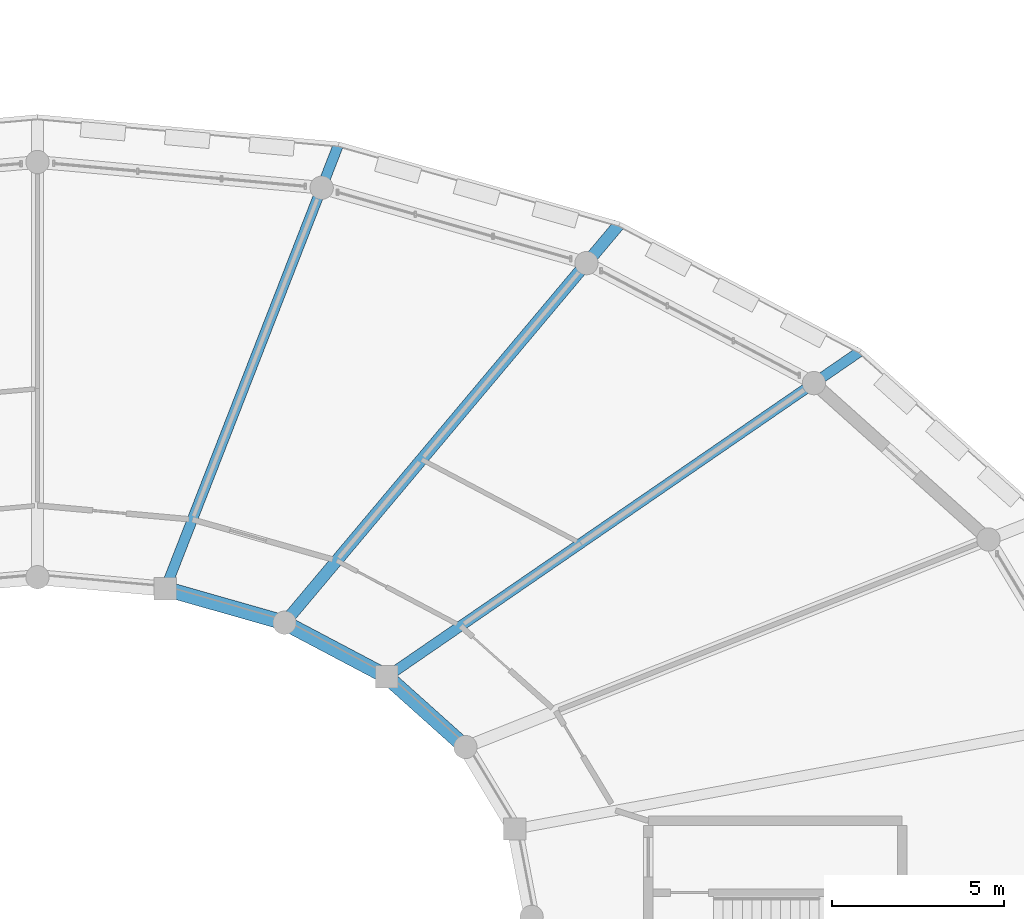
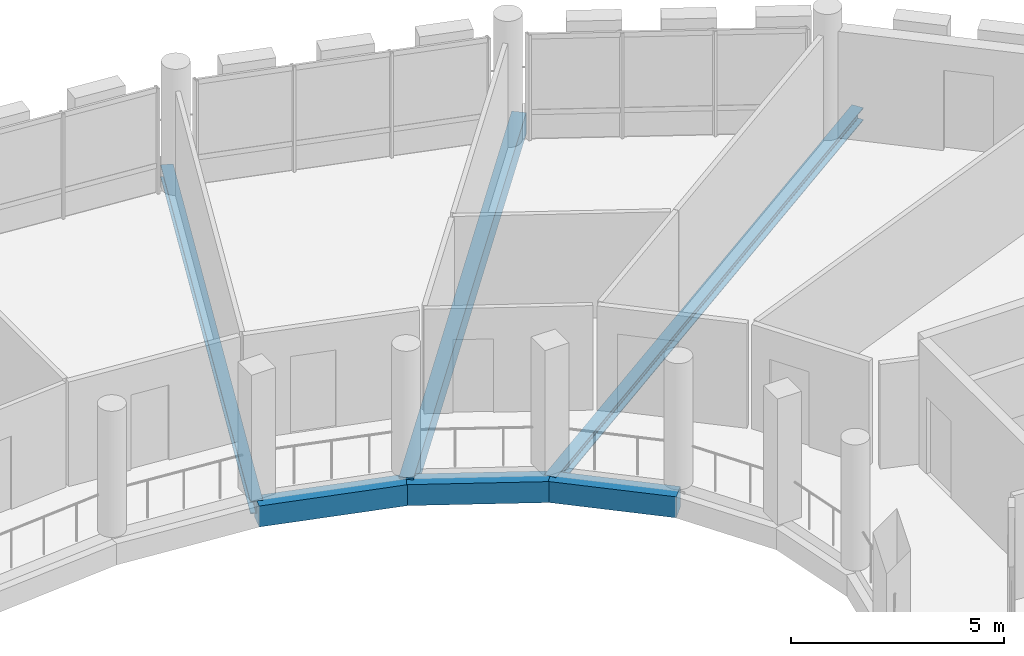
# One storey, part 71 of 128: 6 beams.
"""IFC4 building model written with IfcOpenShell, lengths in metres."""

import ifcopenshell
import ifcopenshell.guid

model = None  # the IFC model being written
_history = None  # IfcOwnerHistory: only IFC2X3 demands one
_inside = {}  # id of a spatial element -> (the spatial element, [elements in it])
_under = {}  # id of a project, library or spatial element -> (it, [spatial elements below it])
_declared = {}  # id of a project -> (the project, [libraries it declares])
_typed = {}  # id of a type object -> (the type object, [elements of that type])
_made_of = {}  # id of a material, layer set ... -> (it, [elements and type objects made of it])


def new_model(schema):
    """Start an empty IFC model of exactly this schema.

    Asked for "IFC4X3", IfcOpenShell would pick the latest addendum, in which some entities
    have other attributes; the version numbers below select the first issue.
    IFC2X3 requires an IfcOwnerHistory on every rooted entity: one is made here for all.
    """
    global model, _history
    if schema == "IFC4X3":
        model = ifcopenshell.file(schema_version=(4, 3, 0, 0))
    else:
        model = ifcopenshell.file(schema=schema)
    _inside.clear()
    _under.clear()
    _declared.clear()
    _typed.clear()
    _made_of.clear()
    _history = None
    if model.schema == "IFC2X3":
        org = make("IfcOrganization", Name="unknown")
        user = make(
            "IfcPersonAndOrganization",
            ThePerson=make("IfcPerson", FamilyName="unknown"),
            TheOrganization=org,
        )
        app = make(
            "IfcApplication",
            ApplicationDeveloper=org,
            Version="unknown",
            ApplicationFullName="unknown",
            ApplicationIdentifier="unknown",
        )
        _history = make(
            "IfcOwnerHistory",
            OwningUser=user,
            OwningApplication=app,
            ChangeAction="ADDED",
            CreationDate=0,
        )
    return model


def make(cls, **values):
    """One entity of the class cls with the attributes given. An attribute that is None is left unset."""
    return model.create_entity(
        cls, **{name: value for name, value in values.items() if value is not None}
    )


def rooted(cls, **values):
    """An entity with a GlobalId (a new one), such as an element, a storey or a relation."""
    return make(cls, GlobalId=ifcopenshell.guid.new(), OwnerHistory=_history, **values)


def si_unit(unit_type, name, prefix=None):
    """IfcSIUnit, for example si_unit("LENGTHUNIT", "METRE", prefix="MILLI")."""
    return make("IfcSIUnit", UnitType=unit_type, Prefix=prefix, Name=name)


def assignment(units):
    """IfcUnitAssignment: the units of a project."""
    return None if units is None else make("IfcUnitAssignment", Units=units)


def point(xyz):
    """IfcCartesianPoint."""
    return None if xyz is None else make("IfcCartesianPoint", Coordinates=xyz)


def direction(xyz):
    """IfcDirection."""
    return None if xyz is None else make("IfcDirection", DirectionRatios=xyz)


def frame(location, z_axis=None, x_axis=None):
    """IfcAxis2Placement3D, a coordinate frame: its origin and axes. An axis left out is left unset."""
    return make(
        "IfcAxis2Placement3D",
        Location=point(location),
        Axis=direction(z_axis),
        RefDirection=direction(x_axis),
    )


def frame_2d(location, x_axis=None):
    """IfcAxis2Placement2D, a coordinate frame in the plane: its origin and x axis."""
    return make(
        "IfcAxis2Placement2D", Location=point(location), RefDirection=direction(x_axis)
    )


def origin():
    """The frame at (0, 0, 0) with its axes left unset."""
    return frame((0.0, 0.0, 0.0))


def origin_2d():
    """The frame at (0, 0) in the plane with its x axis left unset."""
    return frame_2d((0.0, 0.0))


def place(relative_to, where):
    """IfcLocalPlacement: puts the frame where relative to a parent placement (None: the world)."""
    return make(
        "IfcLocalPlacement", PlacementRelTo=relative_to, RelativePlacement=where
    )


def context(
    kind, dimensions, precision=None, world=None, true_north=None, identifier=None
):
    """IfcGeometricRepresentationContext, for example the 3D "Model" context."""
    return make(
        "IfcGeometricRepresentationContext",
        ContextIdentifier=identifier,
        ContextType=kind,
        CoordinateSpaceDimension=dimensions,
        Precision=precision,
        WorldCoordinateSystem=world,
        TrueNorth=true_north,
    )


def subcontext(parent, identifier, kind, view, scale=None):
    """IfcGeometricRepresentationSubContext, for example "Body" below "Model"."""
    return make(
        "IfcGeometricRepresentationSubContext",
        ContextIdentifier=identifier,
        ContextType=kind,
        ParentContext=parent,
        TargetScale=scale,
        TargetView=view,
    )


def project(units=None, contexts=None):
    """IfcProject with its units and contexts."""
    return rooted(
        "IfcProject",
        Name="project",
        RepresentationContexts=contexts,
        UnitsInContext=assignment(units),
    )


def spatial(cls, under=None, at=None, **own):
    """A site, building, storey or space (cls), placed at a placement, below another one or the project."""
    s = rooted(cls, ObjectPlacement=at, **own)
    if under is not None:
        _under.setdefault(under.id(), (under, []))[1].append(s)
    return s


def profile(cls, at=None, kind="AREA", **sizes):
    """A parametric profile (cls). Its sizes go by their IFC names, for example OverallWidth=200.0."""
    return make(cls, ProfileType=kind, Position=at, **sizes)


def rectangle(**sizes):
    """IfcRectangleProfileDef."""
    return profile("IfcRectangleProfileDef", **sizes)


def i_section(**sizes):
    """IfcIShapeProfileDef."""
    return profile("IfcIShapeProfileDef", **sizes)


def extrude(swept, where, along, depth):
    """IfcExtrudedAreaSolid: the profile swept, set in the frame where, extruded along a direction by depth."""
    return make(
        "IfcExtrudedAreaSolid",
        SweptArea=swept,
        Position=where,
        ExtrudedDirection=direction(along),
        Depth=depth,
    )


def shape(context_of_items, identifier, shape_type, items):
    """IfcShapeRepresentation: the items that make up one representation, for example the "Body"."""
    return make(
        "IfcShapeRepresentation",
        ContextOfItems=context_of_items,
        RepresentationIdentifier=identifier,
        RepresentationType=shape_type,
        Items=items,
    )


def material(Name=None, Category=None):
    """IfcMaterial."""
    return make("IfcMaterial", Name=Name, Category=Category)


def material_profile(
    of_material, cross_section, Name=None, Category=None, Priority=None
):
    """IfcMaterialProfile: a cross section and its material."""
    return make(
        "IfcMaterialProfile",
        Name=Name,
        Material=of_material,
        Profile=cross_section,
        Priority=Priority,
        Category=Category,
    )


def profile_set(profiles, Name=None, composite=None):
    """IfcMaterialProfileSet."""
    return make(
        "IfcMaterialProfileSet",
        Name=Name,
        MaterialProfiles=profiles,
        CompositeProfile=composite,
    )


def made_of(thing, what):
    """Note that an element or type object is made of a material, layer set ...; save() writes the relation."""
    if what is not None:
        _made_of.setdefault(what.id(), (what, []))[1].append(thing)
    return thing


def type_object(cls, material=None, **own):
    """A type object (cls), such as IfcWallType, which elements share."""
    return made_of(rooted(cls, **own), material)


def element(
    cls,
    number,
    at=None,
    inside=None,
    cuts=None,
    type_object=None,
    material=None,
    context=None,
    identifier="Body",
    shape_type=None,
    held_by="IfcProductDefinitionShape",
    body=None,
    shapes=None,
    **own,
):
    """One element of the class cls, such as IfcWall. Its Tag is "e" and its number.

    at: its placement. inside: the storey or other place that contains it. cuts: it is an
    opening in that element (IfcRelVoidsElement). A single representation is given by context,
    identifier, shape_type and body (its items); several are given by shapes. held_by: the class
    of the entity that holds the representations. save() writes the other relations.
    """
    e = rooted(cls, Tag="e%d" % number, ObjectPlacement=at, **own)
    if body is not None:
        shapes = [shape(context, identifier, shape_type, body)]
    if shapes is not None:
        e.Representation = make(held_by, Representations=shapes)
    if inside is not None:
        _inside.setdefault(inside.id(), (inside, []))[1].append(e)
    if cuts is not None:
        rooted(
            "IfcRelVoidsElement", RelatingBuildingElement=cuts, RelatedOpeningElement=e
        )
    if type_object is not None:
        _typed.setdefault(type_object.id(), (type_object, []))[1].append(e)
    return made_of(e, material)


def aggregate(whole, parts):
    """IfcRelAggregates: a whole, such as a stair, and the parts it consists of."""
    return rooted("IfcRelAggregates", RelatingObject=whole, RelatedObjects=parts)


def save(model, path):
    """Write the relations noted so far, then the file.

    IfcRelAggregates (storeys below a building ...), IfcRelContainedInSpatialStructure (elements
    in a storey), IfcRelDefinesByType, IfcRelAssociatesMaterial and IfcRelDeclares: one each for
    every whole, place, type object, material and project.
    """
    for whole, parts in _under.values():
        aggregate(whole, parts)
    for where, things in _inside.values():
        rooted(
            "IfcRelContainedInSpatialStructure",
            RelatedElements=things,
            RelatingStructure=where,
        )
    for kind, things in _typed.values():
        rooted("IfcRelDefinesByType", RelatedObjects=things, RelatingType=kind)
    for what, things in _made_of.values():
        rooted("IfcRelAssociatesMaterial", RelatedObjects=things, RelatingMaterial=what)
    for by, libraries in _declared.values():
        rooted("IfcRelDeclares", RelatingContext=by, RelatedDefinitions=libraries)
    model.write(path)


model = new_model("IFC4")

# Units and contexts
model_context = context("Model", 3, precision=1e-05, world=origin(), true_north=direction((0.0, 1.0)))
body_context = subcontext(model_context, "Body", "Model", "MODEL_VIEW")
ifc_project = project(units=[si_unit("LENGTHUNIT", "METRE"), si_unit("AREAUNIT", "SQUARE_METRE"), si_unit("VOLUMEUNIT", "CUBIC_METRE"), si_unit("PLANEANGLEUNIT", "RADIAN"), si_unit("MASSUNIT", "GRAM", prefix="KILO")], contexts=[model_context])

# Site, building, storey
site_placement = place(None, origin())
site = spatial("IfcSite", under=ifc_project, at=site_placement, CompositionType="ELEMENT")
building_placement = place(site_placement, origin())
building = spatial("IfcBuilding", under=site, at=building_placement, Name="Zornivar Specialist Clinic", CompositionType="ELEMENT")
storey_placement = place(building_placement, frame((0.0, 0.0, 4.5)))
storey = spatial("IfcBuildingStorey", under=building, at=storey_placement, Name="L01", CompositionType="ELEMENT", Elevation=4.5)

# Beams
ifc_material_1 = material(Name="Concrete C30/37", Category="concrete")
ifc_material_profile_1 = material_profile(ifc_material_1, rectangle(XDim=0.43994140625, YDim=0.60009765625, at=origin_2d()), Name="RC 440x600")
ifc_profile_set_1 = profile_set([ifc_material_profile_1], Name="Concrete C30/37")
beam_type_1 = type_object("IfcBeamType", Name="BM-RC-440x600", PredefinedType="BEAM", material=ifc_profile_set_1)
beam_1_placement = place(storey_placement, frame((106.071044921875, 62.550048828125, -0.590087890625), z_axis=(-0.744927462836, 0.66714546773, 0.0), x_axis=(-0.66714546773, -0.744927462836, 0.0)))
element("IfcBeam", 1, at=beam_1_placement, inside=storey, type_object=beam_type_1, Name="bm:V1:L01:inring:02", PredefinedType="BEAM", context=body_context, shape_type="SweptSolid", body=[
    extrude(rectangle(XDim=0.43994140625, YDim=0.60009765625, at=origin_2d()), origin(), (0.0, 0.0, 1.0), 3.07275390625),
])
beam_2_placement = place(storey_placement, frame((103.781982421875, 64.60009765625, -0.590087890625), z_axis=(-0.884363165653, 0.466799519319, 0.0), x_axis=(-0.466799519319, -0.884363165653, 0.0)))
element("IfcBeam", 2, at=beam_2_placement, inside=storey, type_object=beam_type_1, Name="bm:V1:L01:inring:03", PredefinedType="BEAM", context=body_context, shape_type="SweptSolid", body=[
    extrude(rectangle(XDim=0.43994140625, YDim=0.60009765625, at=origin_2d()), origin(), (0.0, 0.0, 1.0), 3.371826171875),
])
beam_3_placement = place(storey_placement, frame((100.800048828125, 66.174072265625, -0.590087890625), z_axis=(-0.961765935349, 0.2738727544, 0.0), x_axis=(-0.2738727544, -0.961765935349, 0.0)))
element("IfcBeam", 3, at=beam_3_placement, inside=storey, type_object=beam_type_1, Name="bm:V1:L01:inring:04", PredefinedType="BEAM", context=body_context, shape_type="SweptSolid", body=[
    extrude(rectangle(XDim=0.43994140625, YDim=0.60009765625, at=origin_2d()), origin(), (0.0, 0.0, 1.0), 3.611328125),
])
ifc_material_2 = material(Name="Concrete C30/37", Category="concrete")
ifc_material_profile_2 = material_profile(ifc_material_2, rectangle(XDim=0.35009765625, YDim=0.6201171875, at=origin_2d()), Name="RC 350x620")
ifc_profile_set_2 = profile_set([ifc_material_profile_2], Name="Concrete C30/37")
beam_type_2 = type_object("IfcBeamType", Name="BM-RC-CANT-350x620", PredefinedType="BEAM", material=ifc_profile_set_2)
beam_4_placement = place(storey_placement, frame((100.800048828125, 66.174072265625, -0.550048828125), z_axis=(0.643102291661, 0.765780283411, 0.0), x_axis=(-0.765780283411, 0.643102291661, 0.0)))
element("IfcBeam", 4, at=beam_4_placement, inside=storey, type_object=beam_type_2, Name="bm:V1:L01:radcant:04", PredefinedType="BEAM", context=body_context, shape_type="SweptSolid", body=[
    extrude(rectangle(XDim=0.35009765625, YDim=0.6201171875, at=origin_2d()), origin(), (0.0, 0.0, 1.0), 15.176513671875),
])
ifc_material_3 = material(Name="Steel S355J2", Category="steel")
ifc_material_profile_3 = material_profile(ifc_material_3, i_section(OverallWidth=0.300048828125, OverallDepth=0.360107421875, WebThickness=0.012451171875, FlangeThickness=0.0224609375, FilletRadius=0.027099609375, at=origin_2d()), Name="HEB 360")
ifc_profile_set_3 = profile_set([ifc_material_profile_3], Name="Steel S355J2")
beam_type_3 = type_object("IfcBeamType", Name="BM-STL-HEB360", PredefinedType="BEAM", material=ifc_profile_set_3)
beam_5_placement = place(storey_placement, frame((103.781982421875, 64.60009765625, -0.469970703125), z_axis=(0.82402959127, 0.566546761276, 0.0), x_axis=(-0.566546761276, 0.82402959127, 0.0)))
element("IfcBeam", 5, at=beam_5_placement, inside=storey, type_object=beam_type_3, Name="bm:V1:L01:radmid:03", PredefinedType="BEAM", context=body_context, shape_type="SweptSolid", body=[
    extrude(i_section(OverallWidth=0.300048828125, OverallDepth=0.360107421875, WebThickness=0.012451171875, FlangeThickness=0.0224609375, FilletRadius=0.027099609375, at=origin_2d()), origin(), (0.0, 0.0, 1.0), 16.75048828125),
])
beam_6_placement = place(storey_placement, frame((97.326904296875, 67.1630859375, -0.469970703125), z_axis=(0.363149073781, 0.931731050364, 0.0), x_axis=(-0.931731050364, 0.363149073781, 0.0)))
element("IfcBeam", 6, at=beam_6_placement, inside=storey, type_object=beam_type_3, Name="bm:V1:L01:radmid:05", PredefinedType="BEAM", context=body_context, shape_type="SweptSolid", body=[
    extrude(i_section(OverallWidth=0.300048828125, OverallDepth=0.360107421875, WebThickness=0.012451171875, FlangeThickness=0.0224609375, FilletRadius=0.027099609375, at=origin_2d()), origin(), (0.0, 0.0, 1.0), 13.91162109375),
])

save(model, "model.ifc")
